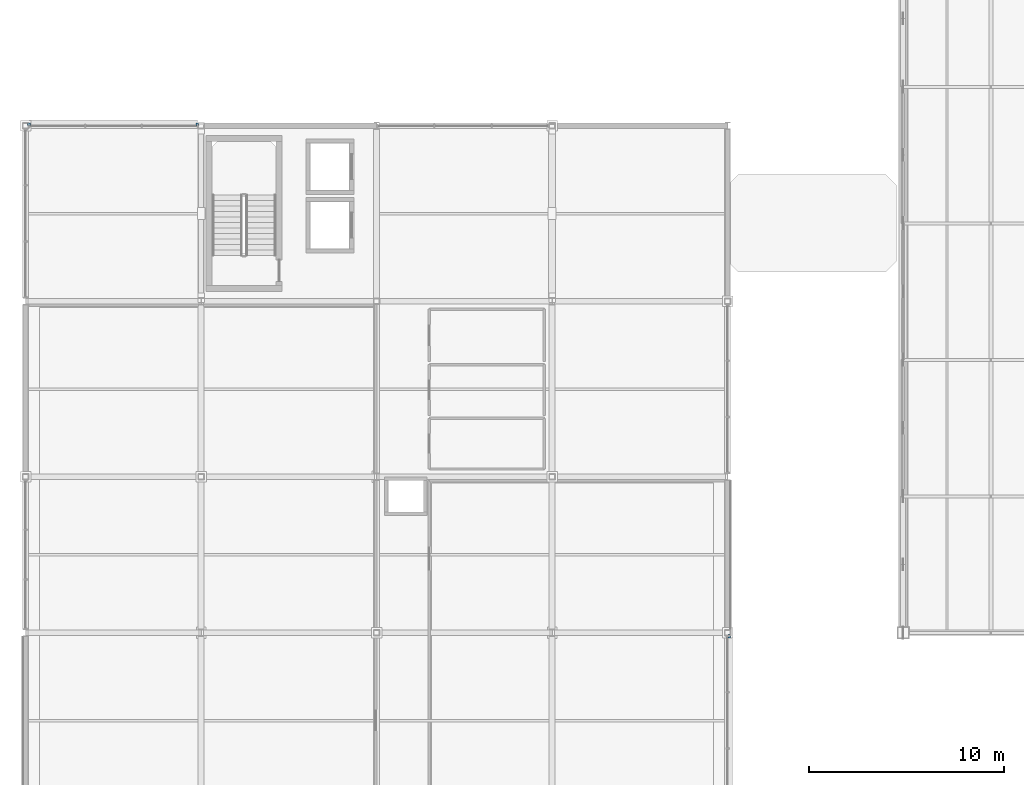
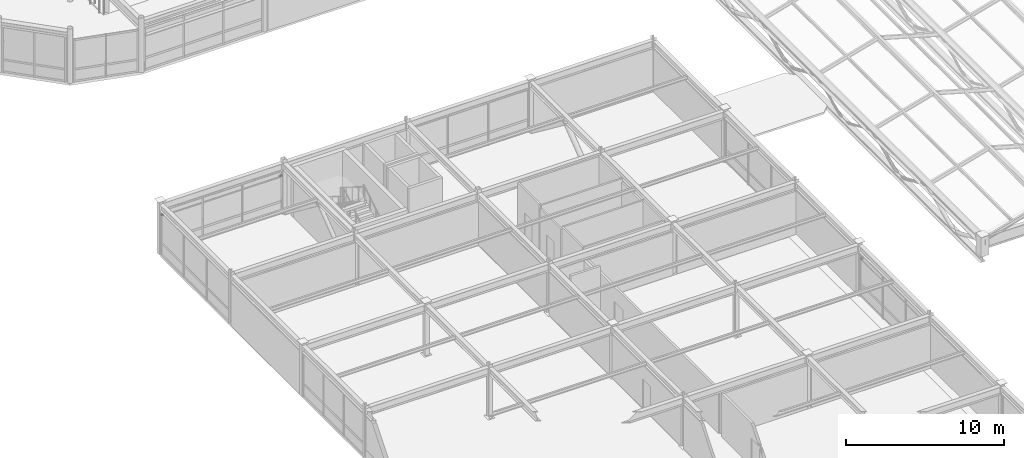
# One storey, part 86 of 108: 3 discrete accessories.
"""IFC4 building model written with IfcOpenShell, lengths in metres."""

from ifc_helpers import new_model, si_unit, direction, frame, origin, origin_2d, place, context, subcontext, project, spatial, rectangle, extrude, material, type_object, element, save


model = new_model("IFC4")

# Units and contexts
model_context = context("Model", 3, precision=1e-05, world=origin(), true_north=direction((0.0, 1.0)))
body_context = subcontext(model_context, "Body", "Model", "MODEL_VIEW")
ifc_project = project(units=[si_unit("LENGTHUNIT", "METRE"), si_unit("AREAUNIT", "SQUARE_METRE"), si_unit("VOLUMEUNIT", "CUBIC_METRE"), si_unit("PLANEANGLEUNIT", "RADIAN"), si_unit("MASSUNIT", "GRAM", prefix="KILO")], contexts=[model_context])

# Site, building, storey
site_placement = place(None, origin())
site = spatial("IfcSite", under=ifc_project, at=site_placement, CompositionType="ELEMENT")
building_placement = place(site_placement, origin())
building = spatial("IfcBuilding", under=site, at=building_placement, Name="Suzunagisa Mobility Hub", CompositionType="ELEMENT")
storey_placement = place(building_placement, frame((0.0, 0.0, 9.300048828125)))
storey = spatial("IfcBuildingStorey", under=building, at=storey_placement, Name="L02", CompositionType="ELEMENT", Elevation=9.300048828125)

# Discrete accessories
ifc_material = material(Name="Stainless Steel SUS316", Category="metal")
discrete_accessory_type = type_object("IfcDiscreteAccessoryType", Name="Stainless Sunshade Outrigger Bracket BRK-01", PredefinedType="BRACKET", material=ifc_material)
for number, where, z_axis, x_axis, name in (
    (1, (36.0849609375, 35.820068359375, 2.841796875), (0.0, 0.0, 1.0), (0.0, 1.0, 0.0), "Sunshade Outrigger Bracket BRK-6.2"),
    (2, (8.820068359375, 62.0849609375, 2.841796875), (0.0, 0.0, 1.0), (-1.0, 0.0, 0.0), "Sunshade Outrigger Bracket BRK-7.1"),
    (3, (0.179931640625, 62.0849609375, 2.841796875), (0.0, 0.0, 1.0), (-1.0, 0.0, 0.0), "Sunshade Outrigger Bracket BRK-7.2"),
):
    element("IfcDiscreteAccessory", number, at=place(storey_placement, frame(where, z_axis=z_axis, x_axis=x_axis)), inside=storey, type_object=discrete_accessory_type, Name=name, PredefinedType="BRACKET", context=body_context, shape_type="SweptSolid", body=[
        extrude(rectangle(XDim=0.159912109375, YDim=0.1201171875, at=origin_2d()), origin(), (0.0, 0.0, 1.0), 0.080078125),
    ])

save(model, "model.ifc")
